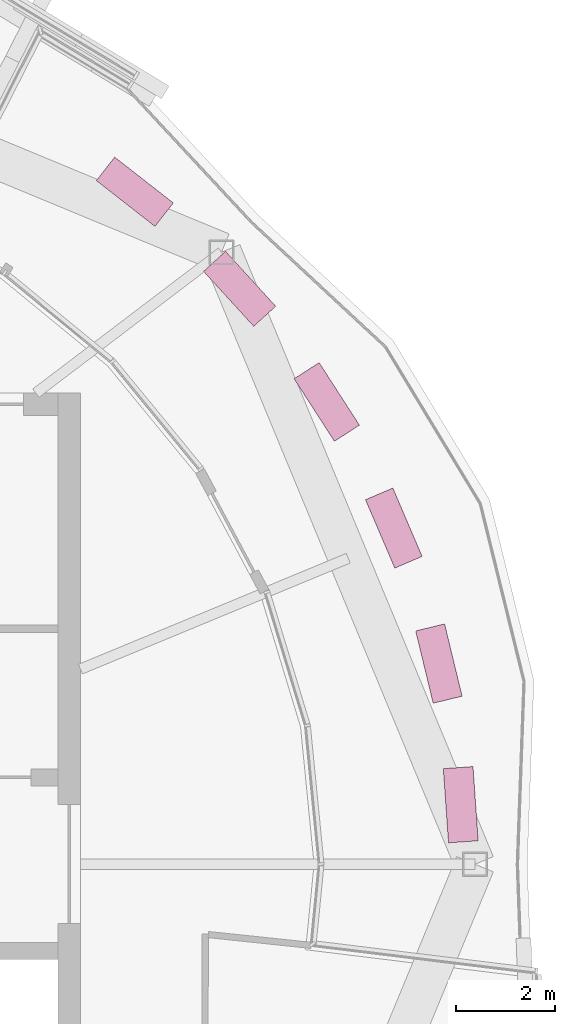
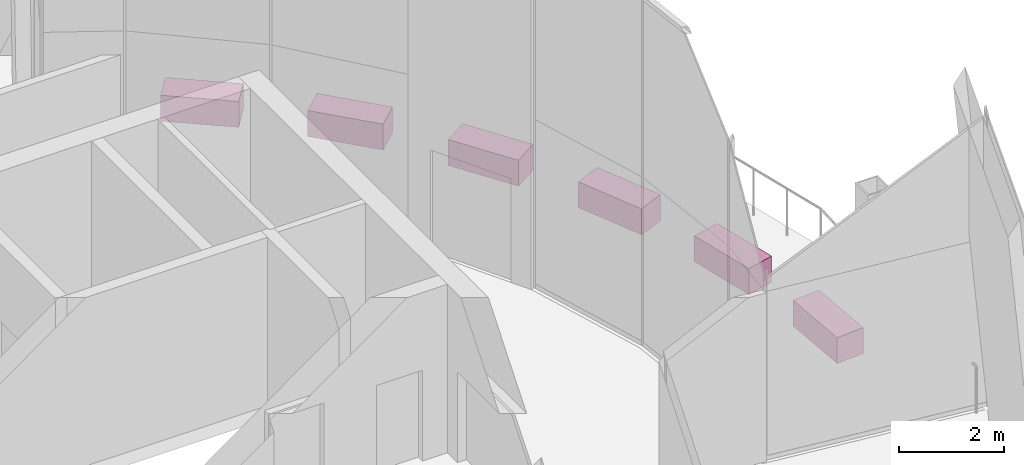
# One storey, part 24 of 24: 6 furniture elements.
"""IFC4 building model written with IfcOpenShell, lengths in metres."""

from ifc_helpers import new_model, si_unit, direction, frame, origin, origin_2d, place, context, subcontext, project, spatial, rectangle, extrude, material, type_object, element, save


model = new_model("IFC4")

# Units and contexts
model_context = context("Model", 3, precision=1e-05, world=origin(), true_north=direction((0.0, 1.0)))
body_context = subcontext(model_context, "Body", "Model", "MODEL_VIEW")
ifc_project = project(units=[si_unit("LENGTHUNIT", "METRE"), si_unit("AREAUNIT", "SQUARE_METRE"), si_unit("VOLUMEUNIT", "CUBIC_METRE"), si_unit("PLANEANGLEUNIT", "RADIAN"), si_unit("MASSUNIT", "GRAM", prefix="KILO")], contexts=[model_context])

# Site, building, storey
site_placement = place(None, origin())
site = spatial("IfcSite", under=ifc_project, at=site_placement, CompositionType="ELEMENT")
building_placement = place(site_placement, origin())
building = spatial("IfcBuilding", under=site, at=building_placement, Name="Ogive Gate Towers", CompositionType="ELEMENT")
storey_placement = place(building_placement, frame((0.0, 0.0, 277.199951171875)))
storey = spatial("IfcBuildingStorey", under=building, at=storey_placement, Name="L65", CompositionType="ELEMENT", Elevation=277.199951171875)

# Furniture
ifc_material = material(Name="Precast concrete C40/50", Category="concrete")
furniture_type = type_object("IfcFurnitureType", Name="Planter 1500 x 600", AssemblyPlace="NOTDEFINED", PredefinedType="USERDEFINED", material=ifc_material)
for number, where, z_axis, x_axis, name in (
    (1, (-18.831787109375, 1.200439453125, 0.0), (0.0, 0.0, 1.0), (-0.069756473744, 0.99756405026, 0.0), "Planter"),
    (2, (-19.272705078125, 4.046875, 0.0), (0.0, 0.0, 1.0), (-0.235142113103, 0.971961000579, 0.0), "Planter"),
    (3, (-20.181640625, 6.77978515625, 0.0), (0.0, 0.0, 1.0), (-0.393941909591, 0.919135339255, 0.0), "Planter"),
    (4, (-21.53369140625, 9.32275390625, 0.0), (0.0, 0.0, 1.0), (-0.541708210283, 0.840566603496, 0.0), "Planter"),
    (5, (-23.291259765625, 11.604736328125, 0.0), (0.0, 0.0, 1.0), (-0.674302387584, 0.738455340626, 0.0), "Planter"),
    (6, (-25.404541015625, 13.561767578125, 0.0), (0.0, 0.0, 1.0), (-0.788010753607, 0.615661475326, 0.0), "Planter"),
):
    element("IfcFurniture", number, at=place(storey_placement, frame(where, z_axis=z_axis, x_axis=x_axis)), inside=storey, type_object=furniture_type, Name=name, ObjectType="PLANTER", PredefinedType="USERDEFINED", context=body_context, shape_type="SweptSolid", body=[
        extrude(rectangle(XDim=1.5, YDim=0.60009765625, at=origin_2d()), origin(), (0.0, 0.0, 1.0), 0.60009765625),
    ])

save(model, "model.ifc")
